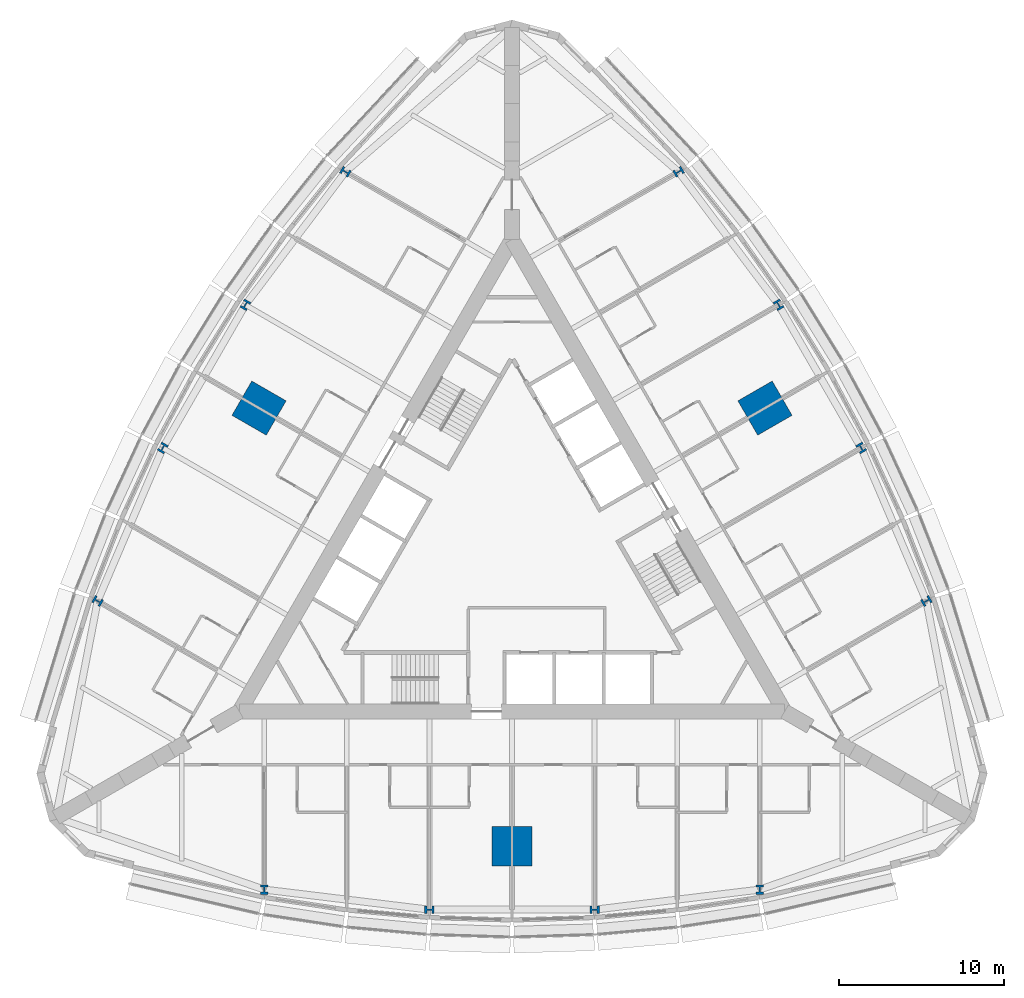
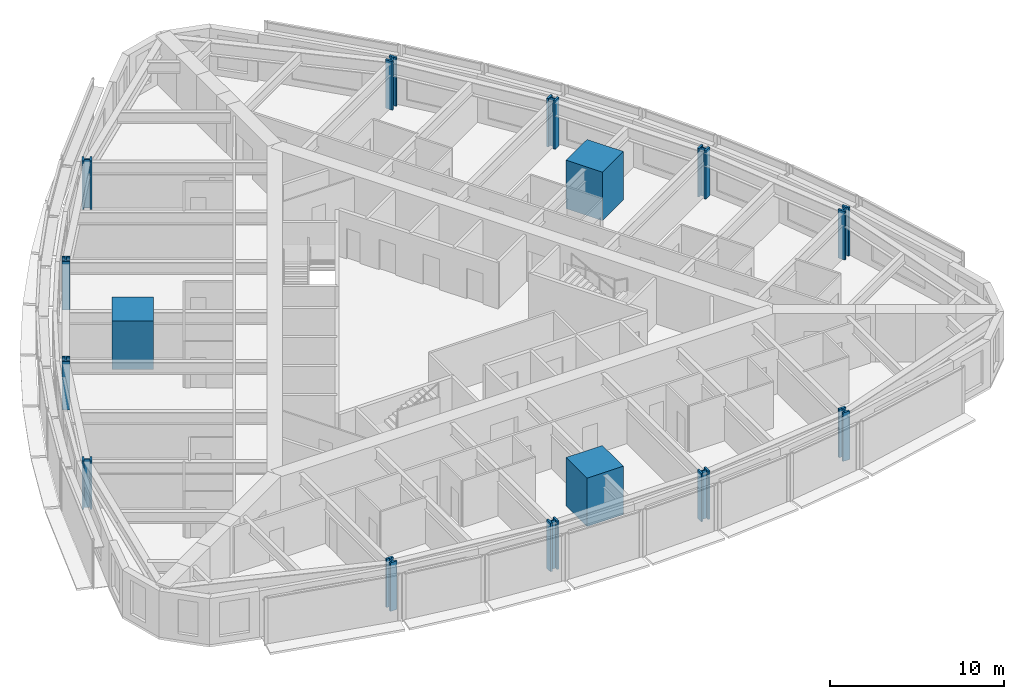
# One storey, part 1 of 14: 15 columns.
"""IFC4 building model written with IfcOpenShell, lengths in metres."""

from ifc_helpers import new_model, si_unit, direction, frame, origin, origin_2d, place, context, subcontext, project, spatial, rectangle, i_section, extrude, material, material_profile, profile_set, type_object, element, save


model = new_model("IFC4")

# Units and contexts
model_context = context("Model", 3, precision=1e-05, world=origin(), true_north=direction((0.0, 1.0)))
body_context = subcontext(model_context, "Body", "Model", "MODEL_VIEW")
ifc_project = project(units=[si_unit("LENGTHUNIT", "METRE"), si_unit("AREAUNIT", "SQUARE_METRE"), si_unit("VOLUMEUNIT", "CUBIC_METRE"), si_unit("PLANEANGLEUNIT", "RADIAN"), si_unit("MASSUNIT", "GRAM", prefix="KILO")], contexts=[model_context])

# Site, building, storey
site_placement = place(None, origin())
site = spatial("IfcSite", under=ifc_project, at=site_placement, CompositionType="ELEMENT")
building_placement = place(site_placement, origin())
building = spatial("IfcBuilding", under=site, at=building_placement, Name="Trikona Tower", CompositionType="ELEMENT")
storey_placement = place(building_placement, frame((0.0, 0.0, 31.89990234375)))
storey = spatial("IfcBuildingStorey", under=building, at=storey_placement, Name="L06", CompositionType="ELEMENT", Elevation=31.89990234375)

# Columns
ifc_material_1 = material(Name="Concrete f'c 10000 psi with encased steel section", Category="concrete")
ifc_material_profile_1 = material_profile(ifc_material_1, rectangle(XDim=2.39990234375, YDim=2.39990234375, at=origin_2d()), Name="MC2400")
ifc_profile_set_1 = profile_set([ifc_material_profile_1], Name="Concrete f'c 10000 psi with encased steel section")
column_type_1 = type_object("IfcColumnType", Name="Composite mega column 2400x2400", PredefinedType="COLUMN", material=ifc_profile_set_1)
for number, where, z_axis, x_axis, name in (
    (1, (0.0, -17.680419921875, 0.0), (0.0, 0.0, 1.0), (0.0, -1.0, 0.0), "Mega column MC1"),
    (2, (15.311767578125, 8.84033203125, 0.0), (0.0, 0.0, 1.0), (0.866025403784, 0.5, 0.0), "Mega column MC2"),
    (3, (-15.311767578125, 8.84033203125, 0.0), (0.0, 0.0, 1.0), (-0.866025403784, 0.5, 0.0), "Mega column MC3"),
):
    element("IfcColumn", number, at=place(storey_placement, frame(where, z_axis=z_axis, x_axis=x_axis)), inside=storey, type_object=column_type_1, Name=name, PredefinedType="COLUMN", context=body_context, shape_type="SweptSolid", body=[
        extrude(rectangle(XDim=2.39990234375, YDim=2.39990234375, at=origin_2d()), origin(), (0.0, 0.0, 1.0), 3.400146484375),
    ])
ifc_material_2 = material(Name="Steel ASTM A992 Grade 50", Category="steel")
ifc_material_profile_2 = material_profile(ifc_material_2, i_section(OverallWidth=0.45458984375, OverallDepth=0.56884765625, WebThickness=0.077880859375, FlangeThickness=0.124755859375, at=origin_2d()), Name="W14X730")
ifc_profile_set_2 = profile_set([ifc_material_profile_2], Name="Steel ASTM A992 Grade 50")
column_type_2 = type_object("IfcColumnType", Name="Steel column W14x730", PredefinedType="COLUMN", material=ifc_profile_set_2)
for number, where, z_axis, x_axis, name in (
    (4, (-15.0, -20.302978515625, 0.0), (0.0, 0.0, 1.0), (1.0, 0.0, 0.0), "Column F0m15"),
    (5, (-5.0, -21.5205078125, 0.0), (0.0, 0.0, 1.0), (0.0, -1.0, 0.0), "Column F0m5"),
    (6, (5.0, -21.5205078125, 0.0), (0.0, 0.0, 1.0), (0.0, -1.0, 0.0), "Column F0p5"),
    (7, (15.0, -20.302978515625, 0.0), (0.0, 0.0, 1.0), (1.0, 0.0, 0.0), "Column F0p15"),
    (8, (25.0830078125, -2.8388671875, 0.0), (0.0, 0.0, 1.0), (-0.5, 0.866025403784, 0.0), "Column F1m15"),
    (9, (21.13720703125, 6.43017578125, 0.0), (0.0, 0.0, 1.0), (0.866025403784, 0.5, 0.0), "Column F1m5"),
    (10, (16.13720703125, 15.09033203125, 0.0), (0.0, 0.0, 1.0), (0.866025403784, 0.5, 0.0), "Column F1p5"),
    (11, (10.0830078125, 23.141845703125, 0.0), (0.0, 0.0, 1.0), (-0.5, 0.866025403784, 0.0), "Column F1p15"),
    (12, (-10.0830078125, 23.141845703125, 0.0), (0.0, 0.0, 1.0), (-0.5, -0.866025403784, 0.0), "Column F2m15"),
    (13, (-16.13720703125, 15.09033203125, 0.0), (0.0, 0.0, 1.0), (-0.866025403784, 0.5, 0.0), "Column F2m5"),
    (14, (-21.13720703125, 6.43017578125, 0.0), (0.0, 0.0, 1.0), (-0.866025403784, 0.5, 0.0), "Column F2p5"),
    (15, (-25.0830078125, -2.8388671875, 0.0), (0.0, 0.0, 1.0), (-0.5, -0.866025403784, 0.0), "Column F2p15"),
):
    element("IfcColumn", number, at=place(storey_placement, frame(where, z_axis=z_axis, x_axis=x_axis)), inside=storey, type_object=column_type_2, Name=name, PredefinedType="COLUMN", context=body_context, shape_type="SweptSolid", body=[
        extrude(i_section(OverallWidth=0.45458984375, OverallDepth=0.56884765625, WebThickness=0.077880859375, FlangeThickness=0.124755859375, at=origin_2d()), origin(), (0.0, 0.0, 1.0), 3.400146484375),
    ])

save(model, "model.ifc")
